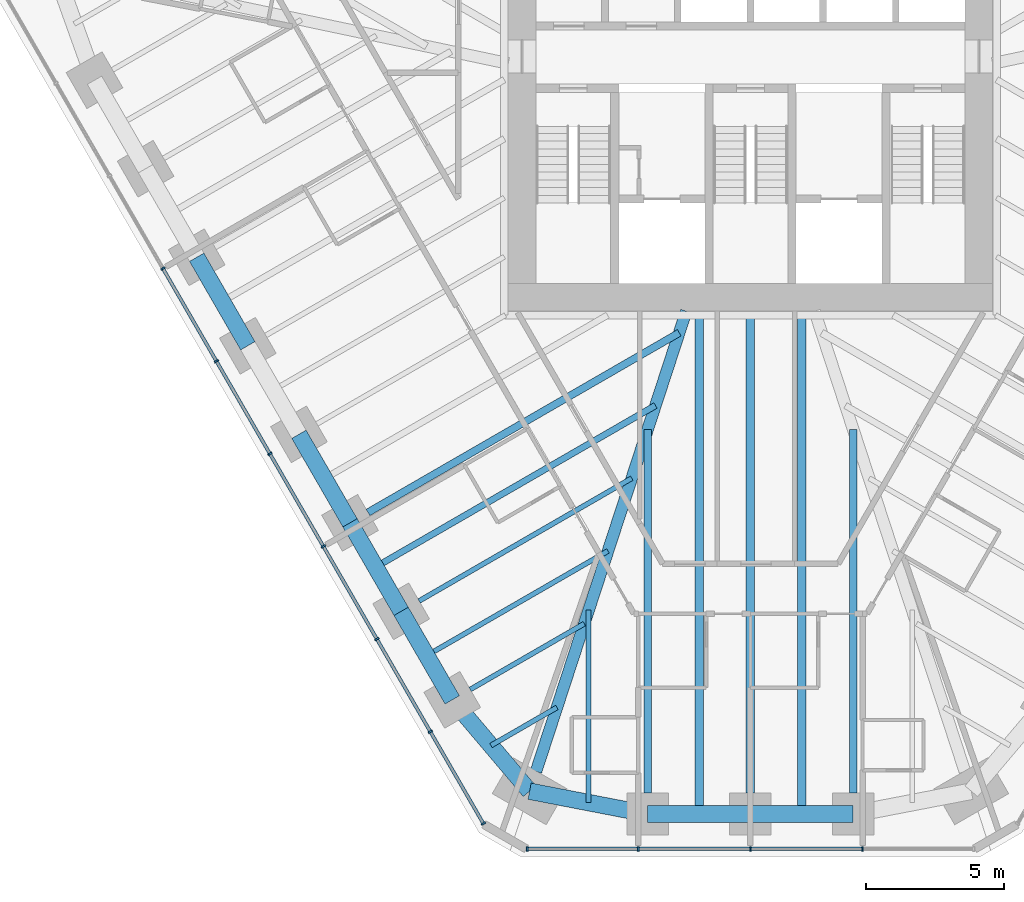
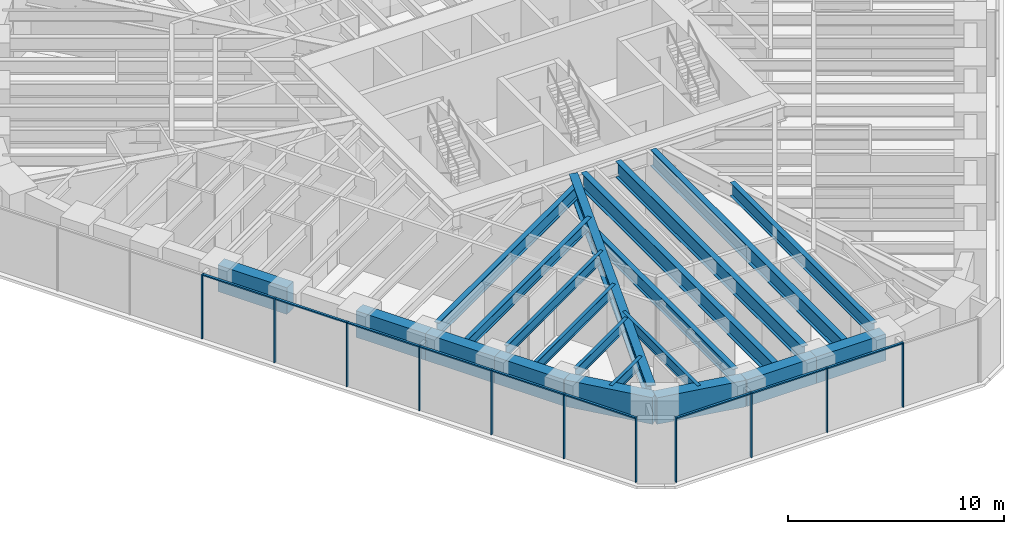
# One storey, part 2 of 17: 21 beams, 20 members, 2 elements without a shape of their own.
"""IFC4 building model written with IfcOpenShell, lengths in metres."""

from ifc_helpers import new_model, si_unit, direction, frame, origin, origin_2d, place, context, subcontext, project, spatial, rectangle, i_section, extrude, material, material_profile, profile_set, type_object, element, aggregate, save


model = new_model("IFC4")

# Units and contexts
model_context = context("Model", 3, precision=1e-05, world=origin(), true_north=direction((0.0, 1.0)))
body_context = subcontext(model_context, "Body", "Model", "MODEL_VIEW")
ifc_project = project(units=[si_unit("LENGTHUNIT", "METRE"), si_unit("AREAUNIT", "SQUARE_METRE"), si_unit("VOLUMEUNIT", "CUBIC_METRE"), si_unit("PLANEANGLEUNIT", "RADIAN"), si_unit("MASSUNIT", "GRAM", prefix="KILO")], contexts=[model_context])

# Site, building, storey
site_placement = place(None, origin())
site = spatial("IfcSite", under=ifc_project, at=site_placement, CompositionType="ELEMENT")
building_placement = place(site_placement, origin())
building = spatial("IfcBuilding", under=site, at=building_placement, Name="Sandreach Pilgrim Tower", CompositionType="ELEMENT")
storey_placement = place(building_placement, frame((0.0, 0.0, 213.60009765625)))
storey = spatial("IfcBuildingStorey", under=building, at=storey_placement, Name="L53", CompositionType="ELEMENT", Elevation=213.60009765625)

# Curtain wall, members
ifc_material_1 = material(Name="Aluminium framed curtain wall", Category="aluminium")
curtain_wall_type = type_object("IfcCurtainWallType", Name="Upper hotel tower curtain wall", PredefinedType="NOTDEFINED", material=ifc_material_1)
curtain_wall_1_placement = place(storey_placement, origin())
curtain_wall_1 = element("IfcCurtainWall", 1, at=curtain_wall_1_placement, inside=storey, type_object=curtain_wall_type, Name="CW-3 L53 S", PredefinedType="NOTDEFINED")
ifc_material_2 = material(Name="Aluminium extrusion", Category="aluminium")
ifc_material_profile_1 = material_profile(ifc_material_2, rectangle(XDim=0.06494140625, YDim=0.159912109375, at=origin_2d()), Name="CW-3M 65X160")
ifc_profile_set_1 = profile_set([ifc_material_profile_1], Name="Aluminium extrusion")
member_type_1 = type_object("IfcMemberType", Name="CW-3 mullion", PredefinedType="MULLION", material=ifc_profile_set_1)
member_1_placement = place(storey_placement, frame((4.048583984375, -26.525146484375, 0.0), z_axis=(0.0, 0.0, 1.0), x_axis=(-1.0, 0.0, 0.0)))
member_1 = element("IfcMember", 2, at=member_1_placement, type_object=member_type_1, Name="CW-3 mullion 2", PredefinedType="MULLION", context=body_context, shape_type="SweptSolid", body=[
    extrude(rectangle(XDim=0.06494140625, YDim=0.159912109375, at=origin_2d()), origin(), (0.0, 0.0, 1.0), 3.639892578125),
])
member_2_placement = place(storey_placement, frame((0.0, -26.525146484375, 0.0), z_axis=(0.0, 0.0, 1.0), x_axis=(-1.0, 0.0, 0.0)))
member_2 = element("IfcMember", 3, at=member_2_placement, type_object=member_type_1, Name="CW-3 mullion 3", PredefinedType="MULLION", context=body_context, shape_type="SweptSolid", body=[
    extrude(rectangle(XDim=0.06494140625, YDim=0.159912109375, at=origin_2d()), origin(), (0.0, 0.0, 1.0), 3.639892578125),
])
member_3_placement = place(storey_placement, frame((-4.048583984375, -26.525146484375, 0.0), z_axis=(0.0, 0.0, 1.0), x_axis=(-1.0, 0.0, 0.0)))
member_3 = element("IfcMember", 4, at=member_3_placement, type_object=member_type_1, Name="CW-3 mullion 4", PredefinedType="MULLION", context=body_context, shape_type="SweptSolid", body=[
    extrude(rectangle(XDim=0.06494140625, YDim=0.159912109375, at=origin_2d()), origin(), (0.0, 0.0, 1.0), 3.639892578125),
])
member_4_placement = place(storey_placement, frame((-8.06494140625, -26.525146484375, 0.0), z_axis=(0.0, 0.0, 1.0), x_axis=(-1.0, 0.0, 0.0)))
member_4 = element("IfcMember", 5, at=member_4_placement, type_object=member_type_1, Name="CW-3 mullion 5", PredefinedType="MULLION", context=body_context, shape_type="SweptSolid", body=[
    extrude(rectangle(XDim=0.06494140625, YDim=0.159912109375, at=origin_2d()), origin(), (0.0, 0.0, 1.0), 3.639892578125),
])

curtain_wall_2_placement = place(storey_placement, origin())
curtain_wall_2 = element("IfcCurtainWall", 6, at=curtain_wall_2_placement, inside=storey, type_object=curtain_wall_type, Name="CW-3 L53 SW", PredefinedType="NOTDEFINED")
member_5_placement = place(storey_placement, frame((-9.646484375, -25.612060546875, 0.0), z_axis=(0.0, 0.0, 1.0), x_axis=(-0.5, 0.866025403784, 0.0)))
member_5 = element("IfcMember", 7, at=member_5_placement, type_object=member_type_1, Name="CW-3 mullion 1", PredefinedType="MULLION", context=body_context, shape_type="SweptSolid", body=[
    extrude(rectangle(XDim=0.06494140625, YDim=0.159912109375, at=origin_2d()), origin(), (0.0, 0.0, 1.0), 3.639892578125),
])
member_6_placement = place(storey_placement, frame((-11.5625, -22.29345703125, 0.0), z_axis=(0.0, 0.0, 1.0), x_axis=(-0.5, 0.866025403784, 0.0)))
member_6 = element("IfcMember", 8, at=member_6_placement, type_object=member_type_1, Name="CW-3 mullion 2", PredefinedType="MULLION", context=body_context, shape_type="SweptSolid", body=[
    extrude(rectangle(XDim=0.06494140625, YDim=0.159912109375, at=origin_2d()), origin(), (0.0, 0.0, 1.0), 3.639892578125),
])
member_7_placement = place(storey_placement, frame((-13.49462890625, -18.94677734375, 0.0), z_axis=(0.0, 0.0, 1.0), x_axis=(-0.5, 0.866025403784, 0.0)))
member_7 = element("IfcMember", 9, at=member_7_placement, type_object=member_type_1, Name="CW-3 mullion 3", PredefinedType="MULLION", context=body_context, shape_type="SweptSolid", body=[
    extrude(rectangle(XDim=0.06494140625, YDim=0.159912109375, at=origin_2d()), origin(), (0.0, 0.0, 1.0), 3.639892578125),
])
member_8_placement = place(storey_placement, frame((-15.4267578125, -15.60009765625, 0.0), z_axis=(0.0, 0.0, 1.0), x_axis=(-0.5, 0.866025403784, 0.0)))
member_8 = element("IfcMember", 10, at=member_8_placement, type_object=member_type_1, Name="CW-3 mullion 4", PredefinedType="MULLION", context=body_context, shape_type="SweptSolid", body=[
    extrude(rectangle(XDim=0.06494140625, YDim=0.159912109375, at=origin_2d()), origin(), (0.0, 0.0, 1.0), 3.639892578125),
])
member_9_placement = place(storey_placement, frame((-17.359130859375, -12.25341796875, 0.0), z_axis=(0.0, 0.0, 1.0), x_axis=(-0.5, 0.866025403784, 0.0)))
member_9 = element("IfcMember", 11, at=member_9_placement, type_object=member_type_1, Name="CW-3 mullion 5", PredefinedType="MULLION", context=body_context, shape_type="SweptSolid", body=[
    extrude(rectangle(XDim=0.06494140625, YDim=0.159912109375, at=origin_2d()), origin(), (0.0, 0.0, 1.0), 3.639892578125),
])
member_10_placement = place(storey_placement, frame((-19.291259765625, -8.90673828125, 0.0), z_axis=(0.0, 0.0, 1.0), x_axis=(-0.5, 0.866025403784, 0.0)))
member_10 = element("IfcMember", 12, at=member_10_placement, type_object=member_type_1, Name="CW-3 mullion 6", PredefinedType="MULLION", context=body_context, shape_type="SweptSolid", body=[
    extrude(rectangle(XDim=0.06494140625, YDim=0.159912109375, at=origin_2d()), origin(), (0.0, 0.0, 1.0), 3.639892578125),
])
member_11_placement = place(storey_placement, frame((-21.223388671875, -5.56005859375, 0.0), z_axis=(0.0, 0.0, 1.0), x_axis=(-0.5, 0.866025403784, 0.0)))
member_11 = element("IfcMember", 13, at=member_11_placement, type_object=member_type_1, Name="CW-3 mullion 7", PredefinedType="MULLION", context=body_context, shape_type="SweptSolid", body=[
    extrude(rectangle(XDim=0.06494140625, YDim=0.159912109375, at=origin_2d()), origin(), (0.0, 0.0, 1.0), 3.639892578125),
])

# Member
ifc_material_3 = material(Name="Aluminium extrusion", Category="aluminium")
ifc_material_profile_2 = material_profile(ifc_material_3, rectangle(XDim=0.1201171875, YDim=0.070068359375, at=origin_2d()), Name="CW-3T 120X70")
ifc_profile_set_2 = profile_set([ifc_material_profile_2], Name="Aluminium extrusion")
member_type_2 = type_object("IfcMemberType", Name="CW-3 transom", PredefinedType="USERDEFINED", material=ifc_profile_set_2)
member_12_placement = place(storey_placement, frame((4.01611328125, -26.525146484375, 3.60498046875), z_axis=(-1.0, 0.0, 0.0), x_axis=(0.0, -1.0, 0.0)))
member_12 = element("IfcMember", 14, at=member_12_placement, type_object=member_type_2, Name="CW-3 head transom 2", ObjectType="TRANSOM", PredefinedType="USERDEFINED", context=body_context, shape_type="SweptSolid", body=[
    extrude(rectangle(XDim=0.1201171875, YDim=0.070068359375, at=origin_2d()), origin(), (0.0, 0.0, 1.0), 3.983642578125),
])

member_13_placement = place(storey_placement, frame((-0.032470703125, -26.525146484375, 3.60498046875), z_axis=(-1.0, 0.0, 0.0), x_axis=(0.0, -1.0, 0.0)))
member_13 = element("IfcMember", 15, at=member_13_placement, type_object=member_type_2, Name="CW-3 head transom 3", ObjectType="TRANSOM", PredefinedType="USERDEFINED", context=body_context, shape_type="SweptSolid", body=[
    extrude(rectangle(XDim=0.1201171875, YDim=0.070068359375, at=origin_2d()), origin(), (0.0, 0.0, 1.0), 3.983642578125),
])

member_14_placement = place(storey_placement, frame((-4.081298828125, -26.525146484375, 3.60498046875), z_axis=(-1.0, 0.0, 0.0), x_axis=(0.0, -1.0, 0.0)))
member_14 = element("IfcMember", 16, at=member_14_placement, type_object=member_type_2, Name="CW-3 head transom 4", ObjectType="TRANSOM", PredefinedType="USERDEFINED", context=body_context, shape_type="SweptSolid", body=[
    extrude(rectangle(XDim=0.1201171875, YDim=0.070068359375, at=origin_2d()), origin(), (0.0, 0.0, 1.0), 3.951171875),
])

aggregate(curtain_wall_1, [member_1, member_2, member_3, member_4, member_12, member_13, member_14])

member_15_placement = place(storey_placement, frame((-9.662841796875, -25.583740234375, 3.60498046875), z_axis=(-0.499973055223, 0.8660409598, 0.0), x_axis=(-0.8660409598, -0.499973055223, 0.0)))
member_15 = element("IfcMember", 17, at=member_15_placement, type_object=member_type_2, Name="CW-3 head transom 1", ObjectType="TRANSOM", PredefinedType="USERDEFINED", context=body_context, shape_type="SweptSolid", body=[
    extrude(rectangle(XDim=0.1201171875, YDim=0.070068359375, at=origin_2d()), origin(), (0.0, 0.0, 1.0), 3.766845703125),
])

member_16_placement = place(storey_placement, frame((-11.57861328125, -22.265380859375, 3.60498046875), z_axis=(-0.500022797313, 0.86601224135, 0.0), x_axis=(-0.86601224135, -0.500022797313, 0.0)))
member_16 = element("IfcMember", 18, at=member_16_placement, type_object=member_type_2, Name="CW-3 head transom 2", ObjectType="TRANSOM", PredefinedType="USERDEFINED", context=body_context, shape_type="SweptSolid", body=[
    extrude(rectangle(XDim=0.1201171875, YDim=0.070068359375, at=origin_2d()), origin(), (0.0, 0.0, 1.0), 3.799560546875),
])

member_17_placement = place(storey_placement, frame((-13.510986328125, -18.918701171875, 3.60498046875), z_axis=(-0.499974606132, 0.866040064445, 0.0), x_axis=(-0.866040064445, -0.499974606132, 0.0)))
member_17 = element("IfcMember", 19, at=member_17_placement, type_object=member_type_2, Name="CW-3 head transom 3", ObjectType="TRANSOM", PredefinedType="USERDEFINED", context=body_context, shape_type="SweptSolid", body=[
    extrude(rectangle(XDim=0.1201171875, YDim=0.070068359375, at=origin_2d()), origin(), (0.0, 0.0, 1.0), 3.799560546875),
])

member_18_placement = place(storey_placement, frame((-15.443115234375, -15.572021484375, 3.60498046875), z_axis=(-0.499974606132, 0.866040064445, 0.0), x_axis=(-0.866040064445, -0.499974606132, 0.0)))
member_18 = element("IfcMember", 20, at=member_18_placement, type_object=member_type_2, Name="CW-3 head transom 4", ObjectType="TRANSOM", PredefinedType="USERDEFINED", context=body_context, shape_type="SweptSolid", body=[
    extrude(rectangle(XDim=0.1201171875, YDim=0.070068359375, at=origin_2d()), origin(), (0.0, 0.0, 1.0), 3.799560546875),
])

member_19_placement = place(storey_placement, frame((-17.375244140625, -12.225341796875, 3.60498046875), z_axis=(-0.500022797313, 0.86601224135, 0.0), x_axis=(-0.86601224135, -0.500022797313, 0.0)))
member_19 = element("IfcMember", 21, at=member_19_placement, type_object=member_type_2, Name="CW-3 head transom 5", ObjectType="TRANSOM", PredefinedType="USERDEFINED", context=body_context, shape_type="SweptSolid", body=[
    extrude(rectangle(XDim=0.1201171875, YDim=0.070068359375, at=origin_2d()), origin(), (0.0, 0.0, 1.0), 3.799560546875),
])

member_20_placement = place(storey_placement, frame((-19.3076171875, -8.878662109375, 3.60498046875), z_axis=(-0.499974606132, 0.866040064445, 0.0), x_axis=(-0.866040064445, -0.499974606132, 0.0)))
member_20 = element("IfcMember", 22, at=member_20_placement, type_object=member_type_2, Name="CW-3 head transom 6", ObjectType="TRANSOM", PredefinedType="USERDEFINED", context=body_context, shape_type="SweptSolid", body=[
    extrude(rectangle(XDim=0.1201171875, YDim=0.070068359375, at=origin_2d()), origin(), (0.0, 0.0, 1.0), 3.799560546875),
])

aggregate(curtain_wall_2, [member_5, member_6, member_7, member_8, member_9, member_10, member_11, member_15, member_16, member_17, member_18, member_19, member_20])

# Beams
ifc_material_4 = material(Name="Steel ASTM A992 Grade 50", Category="steel")
ifc_material_profile_3 = material_profile(ifc_material_4, i_section(OverallWidth=0.421630859375, OverallDepth=0.95751953125, WebThickness=0.02587890625, FlangeThickness=0.046875, at=origin_2d()), Name="W36X330")
ifc_profile_set_3 = profile_set([ifc_material_profile_3], Name="Steel ASTM A992 Grade 50")
beam_type_1 = type_object("IfcBeamType", Name="Corner girder W36X330", PredefinedType="BEAM", material=ifc_profile_set_3)
beam_1_placement = place(storey_placement, frame((-7.745849609375, -23.72900390625, 3.1611328125), z_axis=(0.310317870968, 0.950632851819, 0.0), x_axis=(-0.950632851819, 0.310317870968, 0.0)))
element("IfcBeam", 23, at=beam_1_placement, inside=storey, type_object=beam_type_1, Name="BM L53 CG26", PredefinedType="BEAM", context=body_context, shape_type="SweptSolid", body=[
    extrude(i_section(OverallWidth=0.421630859375, OverallDepth=0.95751953125, WebThickness=0.02587890625, FlangeThickness=0.046875, at=origin_2d()), origin(), (0.0, 0.0, 1.0), 17.492431640625),
])
ifc_material_5 = material(Name="Steel ASTM A992 Grade 50", Category="steel")
ifc_material_profile_4 = material_profile(ifc_material_5, i_section(OverallWidth=0.1787109375, OverallDepth=0.60205078125, WebThickness=0.010986328125, FlangeThickness=0.014892578125, at=origin_2d()), Name="W24X62")
ifc_profile_set_4 = profile_set([ifc_material_profile_4], Name="Steel ASTM A992 Grade 50")
beam_type_2 = type_object("IfcBeamType", Name="Floor beam W24X62", PredefinedType="BEAM", material=ifc_profile_set_4)
beam_2_placement = place(storey_placement, frame((-10.12255859375, -20.767333984375, 3.3388671875), z_axis=(0.86603347311, 0.499986023258, 0.0), x_axis=(-0.499986023258, 0.86603347311, 0.0)))
element("IfcBeam", 24, at=beam_2_placement, inside=storey, type_object=beam_type_2, Name="BM L53 F27", PredefinedType="BEAM", context=body_context, shape_type="SweptSolid", body=[
    extrude(i_section(OverallWidth=0.1787109375, OverallDepth=0.60205078125, WebThickness=0.010986328125, FlangeThickness=0.014892578125, at=origin_2d()), origin(), (0.0, 0.0, 1.0), 4.757568359375),
])
beam_3_placement = place(storey_placement, frame((-11.96875, -17.569580078125, 3.3388671875), z_axis=(0.866020566617, 0.500008378126, 0.0), x_axis=(-0.500008378126, 0.866020566617, 0.0)))
element("IfcBeam", 25, at=beam_3_placement, inside=storey, type_object=beam_type_2, Name="BM L53 F28", PredefinedType="BEAM", context=body_context, shape_type="SweptSolid", body=[
    extrude(i_section(OverallWidth=0.1787109375, OverallDepth=0.60205078125, WebThickness=0.010986328125, FlangeThickness=0.014892578125, at=origin_2d()), origin(), (0.0, 0.0, 1.0), 8.869384765625),
])
beam_4_placement = place(storey_placement, frame((-5.844482421875, -24.853515625, 3.3388671875), z_axis=(0.0, 1.0, 0.0), x_axis=(-1.0, 0.0, 0.0)))
element("IfcBeam", 26, at=beam_4_placement, inside=storey, type_object=beam_type_2, Name="BM L53 FM25", PredefinedType="BEAM", context=body_context, shape_type="SweptSolid", body=[
    extrude(i_section(OverallWidth=0.1787109375, OverallDepth=0.60205078125, WebThickness=0.010986328125, FlangeThickness=0.014892578125, at=origin_2d()), origin(), (0.0, 0.0, 1.0), 6.94921875),
])
beam_5_placement = place(storey_placement, frame((-9.375244140625, -22.7919921875, 3.3388671875), z_axis=(0.866046803606, 0.49996293259, 0.0), x_axis=(-0.49996293259, 0.866046803606, 0.0)))
element("IfcBeam", 27, at=beam_5_placement, inside=storey, type_object=beam_type_2, Name="BM L53 FM26", PredefinedType="BEAM", context=body_context, shape_type="SweptSolid", body=[
    extrude(i_section(OverallWidth=0.1787109375, OverallDepth=0.60205078125, WebThickness=0.010986328125, FlangeThickness=0.014892578125, at=origin_2d()), origin(), (0.0, 0.0, 1.0), 2.753662109375),
])
beam_6_placement = place(storey_placement, frame((-11.6953125, -19.54345703125, 3.3388671875), z_axis=(0.866029704776, 0.49999255039, 0.0), x_axis=(-0.49999255039, 0.866029704776, 0.0)))
element("IfcBeam", 28, at=beam_6_placement, inside=storey, type_object=beam_type_2, Name="BM L53 FM27", PredefinedType="BEAM", context=body_context, shape_type="SweptSolid", body=[
    extrude(i_section(OverallWidth=0.1787109375, OverallDepth=0.60205078125, WebThickness=0.010986328125, FlangeThickness=0.014892578125, at=origin_2d()), origin(), (0.0, 0.0, 1.0), 7.5634765625),
])
ifc_material_6 = material(Name="Steel ASTM A992 Grade 50", Category="steel")
ifc_material_profile_5 = material_profile(ifc_material_6, i_section(OverallWidth=0.23046875, OverallDepth=0.6171875, WebThickness=0.01318359375, FlangeThickness=0.022216796875, at=origin_2d()), Name="W24X94")
ifc_profile_set_5 = profile_set([ifc_material_profile_5], Name="Steel ASTM A992 Grade 50")
beam_type_3 = type_object("IfcBeamType", Name="Floor beam W24X94", PredefinedType="BEAM", material=ifc_profile_set_5)
beam_7_placement = place(storey_placement, frame((-13.54150390625, -16.345703125, 3.331298828125), z_axis=(0.866026454974, 0.499998179282, 0.0), x_axis=(-0.499998179282, 0.866026454974, 0.0)))
element("IfcBeam", 29, at=beam_7_placement, inside=storey, type_object=beam_type_3, Name="BM L53 FM28", PredefinedType="BEAM", context=body_context, shape_type="SweptSolid", body=[
    extrude(i_section(OverallWidth=0.23046875, OverallDepth=0.6171875, WebThickness=0.01318359375, FlangeThickness=0.022216796875, at=origin_2d()), origin(), (0.0, 0.0, 1.0), 11.67578125),
])
ifc_material_7 = material(Name="Steel ASTM A992 Grade 50", Category="steel")
ifc_material_profile_6 = material_profile(ifc_material_7, i_section(OverallWidth=0.2666015625, OverallDepth=0.761962890625, WebThickness=0.014404296875, FlangeThickness=0.021484375, at=origin_2d()), Name="W30X116")
ifc_profile_set_6 = profile_set([ifc_material_profile_6], Name="Steel ASTM A992 Grade 50")
beam_type_4 = type_object("IfcBeamType", Name="Floor beam W30X116", PredefinedType="BEAM", material=ifc_profile_set_6)
for number, where, z_axis, x_axis, name in (
    (30, (3.71044921875, -24.51513671875, 3.2587890625), (0.0, 1.0, 0.0), (-1.0, 0.0, 0.0), "BM L53 F23"),
    (31, (-3.71044921875, -24.51513671875, 3.2587890625), (0.0, 1.0, 0.0), (-1.0, 0.0, 0.0), "BM L53 F25"),
):
    element("IfcBeam", number, at=place(storey_placement, frame(where, z_axis=z_axis, x_axis=x_axis)), inside=storey, type_object=beam_type_4, Name=name, PredefinedType="BEAM", context=body_context, shape_type="SweptSolid", body=[
        extrude(i_section(OverallWidth=0.2666015625, OverallDepth=0.761962890625, WebThickness=0.014404296875, FlangeThickness=0.021484375, at=origin_2d()), origin(), (0.0, 0.0, 1.0), 13.1484375),
    ])
beam_8_placement = place(storey_placement, frame((-13.815185546875, -14.371826171875, 3.2587890625), z_axis=(0.866025240073, 0.500000283557, 0.0), x_axis=(-0.500000283557, 0.866025240073, 0.0)))
element("IfcBeam", 32, at=beam_8_placement, inside=storey, type_object=beam_type_4, Name="BM L53 F29", PredefinedType="BEAM", context=body_context, shape_type="SweptSolid", body=[
    extrude(i_section(OverallWidth=0.2666015625, OverallDepth=0.761962890625, WebThickness=0.014404296875, FlangeThickness=0.021484375, at=origin_2d()), origin(), (0.0, 0.0, 1.0), 12.98193359375),
])
ifc_material_8 = material(Name="Steel ASTM A992 Grade 50", Category="steel")
ifc_material_profile_7 = material_profile(ifc_material_8, i_section(OverallWidth=0.3046875, OverallDepth=0.914306640625, WebThickness=0.0166015625, FlangeThickness=0.02587890625, at=origin_2d()), Name="W36X160")
ifc_profile_set_7 = profile_set([ifc_material_profile_7], Name="Steel ASTM A992 Grade 50")
beam_type_5 = type_object("IfcBeamType", Name="Floor beam W36X160", PredefinedType="BEAM", material=ifc_profile_set_7)
beam_9_placement = place(storey_placement, frame((0.0, -24.51513671875, 3.1826171875), z_axis=(0.0, 1.0, 0.0), x_axis=(-1.0, 0.0, 0.0)))
element("IfcBeam", 33, at=beam_9_placement, inside=storey, type_object=beam_type_5, Name="BM L53 F24", PredefinedType="BEAM", context=body_context, shape_type="SweptSolid", body=[
    extrude(i_section(OverallWidth=0.3046875, OverallDepth=0.914306640625, WebThickness=0.0166015625, FlangeThickness=0.02587890625, at=origin_2d()), origin(), (0.0, 0.0, 1.0), 17.271728515625),
])
for number, where, z_axis, x_axis, name in (
    (34, (1.855224609375, -25.26513671875, 3.1826171875), (0.0, 1.0, 0.0), (-1.0, 0.0, 0.0), "BM L53 FM23"),
    (35, (-1.855224609375, -25.26513671875, 3.1826171875), (0.0, 1.0, 0.0), (-1.0, 0.0, 0.0), "BM L53 FM24"),
):
    element("IfcBeam", number, at=place(storey_placement, frame(where, z_axis=z_axis, x_axis=x_axis)), inside=storey, type_object=beam_type_5, Name=name, PredefinedType="BEAM", context=body_context, shape_type="SweptSolid", body=[
        extrude(i_section(OverallWidth=0.3046875, OverallDepth=0.914306640625, WebThickness=0.0166015625, FlangeThickness=0.02587890625, at=origin_2d()), origin(), (0.0, 0.0, 1.0), 18.021728515625),
    ])
ifc_material_9 = material(Name="Concrete 10000 psi", Category="concrete")
ifc_material_profile_8 = material_profile(ifc_material_9, rectangle(XDim=0.60009765625, YDim=1.5, at=origin_2d()), Name="RC600X1500")
ifc_profile_set_8 = profile_set([ifc_material_profile_8], Name="Concrete 10000 psi")
beam_type_6 = type_object("IfcBeamType", Name="Spandrel beam RC600X1500", PredefinedType="SPANDREL", material=ifc_profile_set_8)
for number, where, z_axis, x_axis, name in (
    (36, (3.71044921875, -25.26513671875, 2.889892578125), (-1.0, 0.0, 0.0), (0.0, -1.0, 0.0), "BM L53 SP23"),
    (37, (0.0, -25.26513671875, 2.889892578125), (-1.0, 0.0, 0.0), (0.0, -1.0, 0.0), "BM L53 SP24"),
):
    element("IfcBeam", number, at=place(storey_placement, frame(where, z_axis=z_axis, x_axis=x_axis)), inside=storey, type_object=beam_type_6, Name=name, PredefinedType="SPANDREL", context=body_context, shape_type="SweptSolid", body=[
        extrude(rectangle(XDim=0.60009765625, YDim=1.5, at=origin_2d()), origin(), (0.0, 0.0, 1.0), 3.71044921875),
    ])
beam_10_placement = place(storey_placement, frame((-3.71044921875, -25.26513671875, 2.889892578125), z_axis=(-0.981901333807, 0.18939316426, 0.0), x_axis=(-0.18939316426, -0.981901333807, 0.0)))
element("IfcBeam", 38, at=beam_10_placement, inside=storey, type_object=beam_type_6, Name="BM L53 SP25", PredefinedType="SPANDREL", context=body_context, shape_type="SweptSolid", body=[
    extrude(rectangle(XDim=0.60009765625, YDim=1.5, at=origin_2d()), origin(), (0.0, 0.0, 1.0), 4.3466796875),
])
beam_11_placement = place(storey_placement, frame((-7.978515625, -24.44189453125, 2.889892578125), z_axis=(-0.646180160755, 0.76318490541, 0.0), x_axis=(-0.76318490541, -0.646180160755, 0.0)))
element("IfcBeam", 39, at=beam_11_placement, inside=storey, type_object=beam_type_6, Name="BM L53 SP26", PredefinedType="SPANDREL", context=body_context, shape_type="SweptSolid", body=[
    extrude(rectangle(XDim=0.60009765625, YDim=1.5, at=origin_2d()), origin(), (0.0, 0.0, 1.0), 4.323486328125),
])
for number, where, z_axis, x_axis, name in (
    (40, (-10.772216796875, -21.142333984375, 2.889892578125), (-0.499993363642, 0.866029235253, 0.0), (-0.866029235253, -0.499993363642, 0.0), "BM L53 SP27"),
    (41, (-12.618408203125, -17.944580078125, 2.889892578125), (-0.499993363642, 0.866029235253, 0.0), (-0.866029235253, -0.499993363642, 0.0), "BM L53 SP28"),
):
    element("IfcBeam", number, at=place(storey_placement, frame(where, z_axis=z_axis, x_axis=x_axis)), inside=storey, type_object=beam_type_6, Name=name, PredefinedType="SPANDREL", context=body_context, shape_type="SweptSolid", body=[
        extrude(rectangle(XDim=0.60009765625, YDim=1.5, at=origin_2d()), origin(), (0.0, 0.0, 1.0), 3.6923828125),
    ])
beam_12_placement = place(storey_placement, frame((-14.464599609375, -14.746826171875, 2.889892578125), z_axis=(-0.49996473481, 0.866045763194, 0.0), x_axis=(-0.866045763194, -0.49996473481, 0.0)))
element("IfcBeam", 42, at=beam_12_placement, inside=storey, type_object=beam_type_6, Name="BM L53 SP29", PredefinedType="SPANDREL", context=body_context, shape_type="SweptSolid", body=[
    extrude(rectangle(XDim=0.60009765625, YDim=1.5, at=origin_2d()), origin(), (0.0, 0.0, 1.0), 3.692626953125),
])
beam_13_placement = place(storey_placement, frame((-18.1572265625, -8.35107421875, 2.889892578125), z_axis=(-0.499993363642, 0.866029235253, 0.0), x_axis=(-0.866029235253, -0.499993363642, 0.0)))
element("IfcBeam", 43, at=beam_13_placement, inside=storey, type_object=beam_type_6, Name="BM L53 SP31", PredefinedType="SPANDREL", context=body_context, shape_type="SweptSolid", body=[
    extrude(rectangle(XDim=0.60009765625, YDim=1.5, at=origin_2d()), origin(), (0.0, 0.0, 1.0), 3.6923828125),
])

save(model, "model.ifc")
